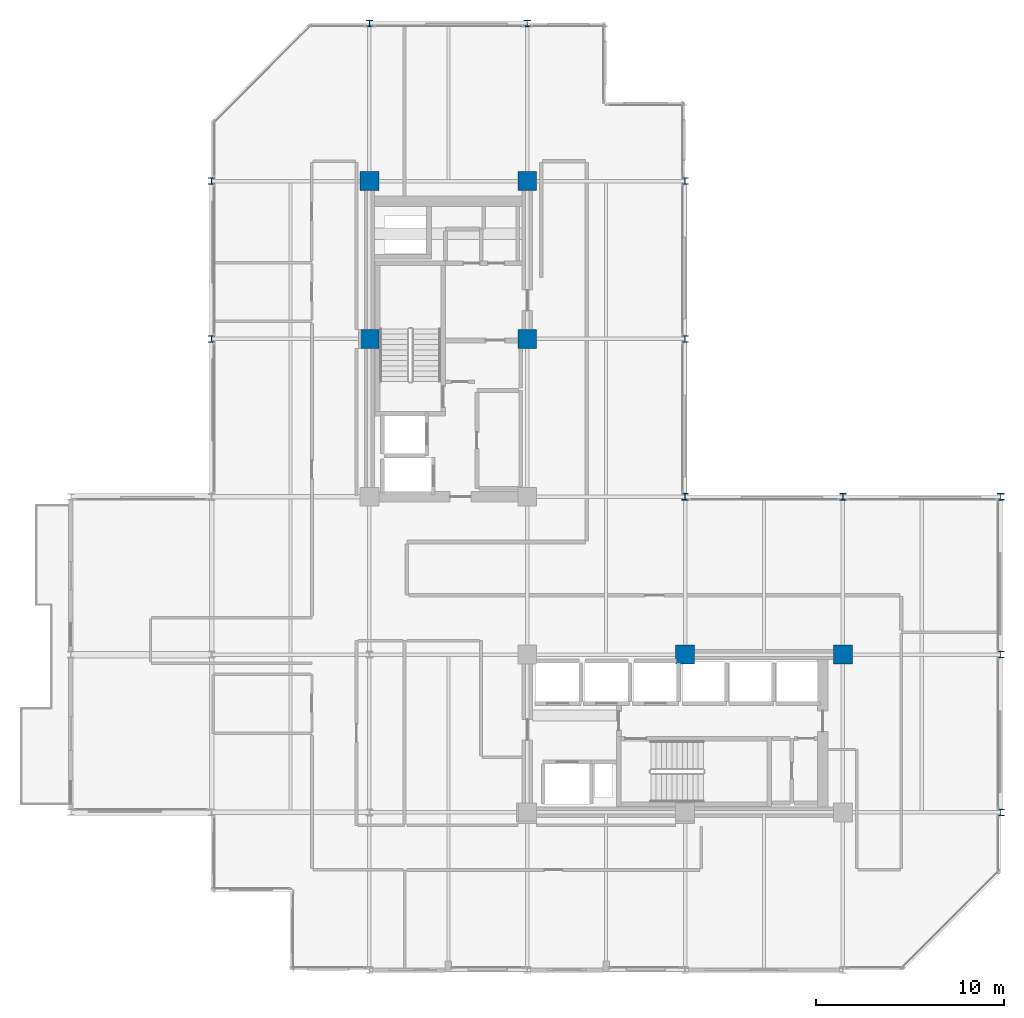
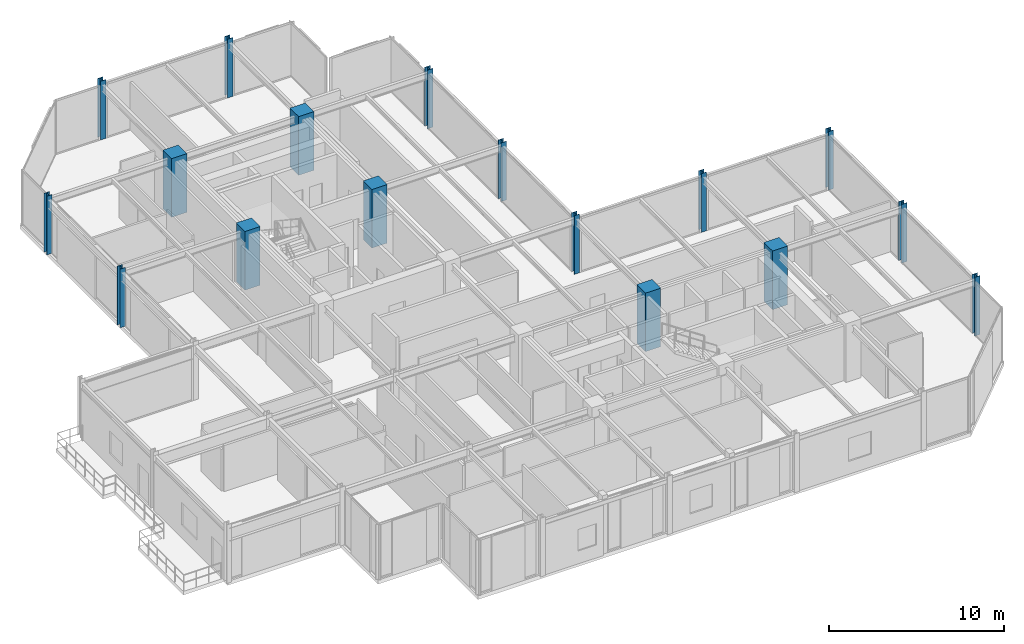
# One storey, part 2 of 29: 17 columns.
"""IFC4 building model written with IfcOpenShell, lengths in metres."""

from ifc_helpers import new_model, si_unit, direction, frame, origin, origin_2d, place, context, subcontext, project, spatial, rectangle, i_section, extrude, material, material_profile, profile_set, type_object, element, save


model = new_model("IFC4")

# Units and contexts
model_context = context("Model", 3, precision=1e-05, world=origin(), true_north=direction((0.0, 1.0)))
body_context = subcontext(model_context, "Body", "Model", "MODEL_VIEW")
ifc_project = project(units=[si_unit("LENGTHUNIT", "METRE"), si_unit("AREAUNIT", "SQUARE_METRE"), si_unit("VOLUMEUNIT", "CUBIC_METRE"), si_unit("PLANEANGLEUNIT", "RADIAN"), si_unit("MASSUNIT", "GRAM", prefix="KILO")], contexts=[model_context])

# Site, building, storey
site_placement = place(None, origin())
site = spatial("IfcSite", under=ifc_project, at=site_placement, CompositionType="ELEMENT")
building_placement = place(site_placement, origin())
building = spatial("IfcBuilding", under=site, at=building_placement, Name="Nerrivon Quay Data Exchange", CompositionType="ELEMENT")
storey_placement = place(building_placement, frame((0.0, 0.0, 175.5)))
storey = spatial("IfcBuildingStorey", under=building, at=storey_placement, Name="L41", CompositionType="ELEMENT", Elevation=175.5)

# Columns
ifc_material_1 = material(Name="Concrete S65 (65 MPa)", Category="concrete")
ifc_material_profile_1 = material_profile(ifc_material_1, rectangle(XDim=1.0, YDim=1.0, at=origin_2d()), Name="RC-COL-1000x1000")
ifc_profile_set_1 = profile_set([ifc_material_profile_1], Name="Concrete S65 (65 MPa)")
column_type_1 = type_object("IfcColumnType", Name="COL-C4-1000", PredefinedType="COLUMN", material=ifc_profile_set_1)
for number, where, z_axis, x_axis, name in (
    (1, (8.39990234375, 33.60009765625, 0.0), (0.0, 0.0, 1.0), (1.0, 0.0, 0.0), "L41 Column (8.4,33.6)"),
    (2, (8.39990234375, 42.0, 0.0), (0.0, 0.0, 1.0), (1.0, 0.0, 0.0), "L41 Column (8.4,42.0)"),
    (3, (16.800048828125, 33.60009765625, 0.0), (0.0, 0.0, 1.0), (1.0, 0.0, 0.0), "L41 Column (16.8,33.6)"),
    (4, (16.800048828125, 42.0, 0.0), (0.0, 0.0, 1.0), (1.0, 0.0, 0.0), "L41 Column (16.8,42.0)"),
    (5, (25.199951171875, 16.800048828125, 0.0), (0.0, 0.0, 1.0), (1.0, 0.0, 0.0), "L41 Column (25.2,16.8)"),
    (6, (33.60009765625, 16.800048828125, 0.0), (0.0, 0.0, 1.0), (1.0, 0.0, 0.0), "L41 Column (33.6,16.8)"),
):
    element("IfcColumn", number, at=place(storey_placement, frame(where, z_axis=z_axis, x_axis=x_axis)), inside=storey, type_object=column_type_1, Name=name, PredefinedType="COLUMN", context=body_context, shape_type="SweptSolid", body=[
        extrude(rectangle(XDim=1.0, YDim=1.0, at=origin_2d()), origin(), (0.0, 0.0, 1.0), 4.10009765625),
    ])
ifc_material_2 = material(Name="Steel Grade 350", Category="steel")
ifc_material_profile_2 = material_profile(ifc_material_2, i_section(OverallWidth=0.35009765625, OverallDepth=0.35009765625, WebThickness=0.02001953125, FlangeThickness=0.031982421875, at=origin_2d()), Name="350WC230")
ifc_profile_set_2 = profile_set([ifc_material_profile_2], Name="Steel Grade 350")
column_type_2 = type_object("IfcColumnType", Name="COL-SC3-350WC", PredefinedType="COLUMN", material=ifc_profile_set_2)
for number, where, z_axis, x_axis, name in (
    (7, (0.0, 33.60009765625, 0.0), (0.0, 0.0, 1.0), (1.0, 0.0, 0.0), "L41 Column (0.0,33.6)"),
    (8, (0.0, 42.0, 0.0), (0.0, 0.0, 1.0), (1.0, 0.0, 0.0), "L41 Column (0.0,42.0)"),
    (9, (8.39990234375, 50.39990234375, 0.0), (0.0, 0.0, 1.0), (1.0, 0.0, 0.0), "L41 Column (8.4,50.4)"),
    (10, (16.800048828125, 50.39990234375, 0.0), (0.0, 0.0, 1.0), (1.0, 0.0, 0.0), "L41 Column (16.8,50.4)"),
    (11, (25.199951171875, 25.199951171875, 0.0), (0.0, 0.0, 1.0), (1.0, 0.0, 0.0), "L41 Column (25.2,25.2)"),
    (12, (25.199951171875, 33.60009765625, 0.0), (0.0, 0.0, 1.0), (1.0, 0.0, 0.0), "L41 Column (25.2,33.6)"),
    (13, (25.199951171875, 42.0, 0.0), (0.0, 0.0, 1.0), (1.0, 0.0, 0.0), "L41 Column (25.2,42.0)"),
    (14, (33.60009765625, 25.199951171875, 0.0), (0.0, 0.0, 1.0), (1.0, 0.0, 0.0), "L41 Column (33.6,25.2)"),
    (15, (42.0, 8.39990234375, 0.0), (0.0, 0.0, 1.0), (1.0, 0.0, 0.0), "L41 Column (42.0,8.4)"),
    (16, (42.0, 16.800048828125, 0.0), (0.0, 0.0, 1.0), (1.0, 0.0, 0.0), "L41 Column (42.0,16.8)"),
    (17, (42.0, 25.199951171875, 0.0), (0.0, 0.0, 1.0), (1.0, 0.0, 0.0), "L41 Column (42.0,25.2)"),
):
    element("IfcColumn", number, at=place(storey_placement, frame(where, z_axis=z_axis, x_axis=x_axis)), inside=storey, type_object=column_type_2, Name=name, PredefinedType="COLUMN", context=body_context, shape_type="SweptSolid", body=[
        extrude(i_section(OverallWidth=0.35009765625, OverallDepth=0.35009765625, WebThickness=0.02001953125, FlangeThickness=0.031982421875, at=origin_2d()), origin(), (0.0, 0.0, 1.0), 4.10009765625),
    ])

save(model, "model.ifc")
